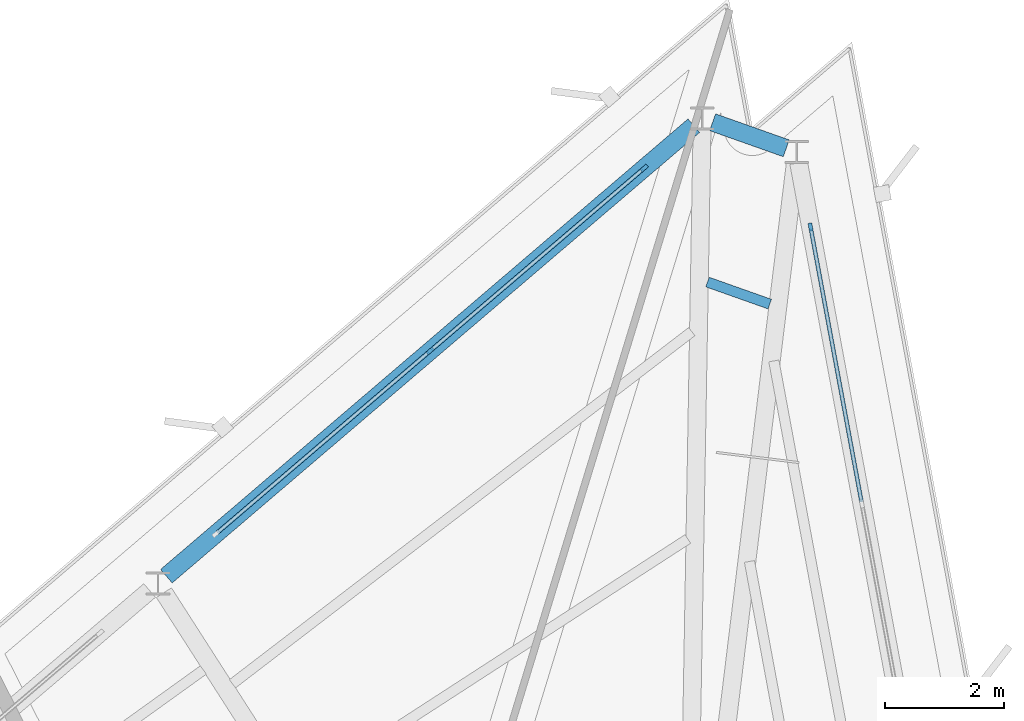
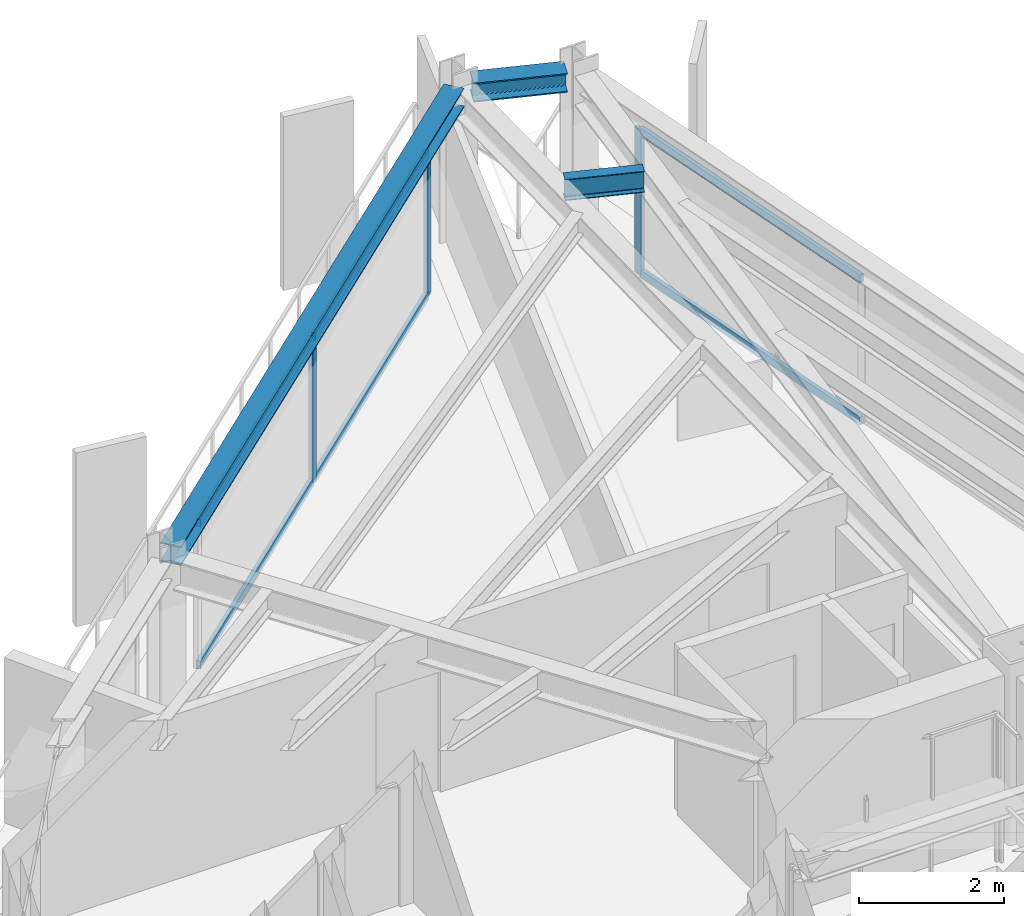
# One storey, part 7 of 14: 9 members, 3 beams, 2 elements without a shape of their own.
"""IFC4 building model written with IfcOpenShell, lengths in metres."""

from ifc_helpers import new_model, si_unit, direction, frame, origin, origin_2d, place, context, subcontext, project, spatial, rectangle, i_section, extrude, material, layer, layer_set, material_profile, profile_set, type_object, element, aggregate, save


model = new_model("IFC4")

# Units and contexts
model_context = context("Model", 3, precision=1e-05, world=origin(), true_north=direction((0.0, 1.0)))
body_context = subcontext(model_context, "Body", "Model", "MODEL_VIEW")
ifc_project = project(units=[si_unit("LENGTHUNIT", "METRE"), si_unit("AREAUNIT", "SQUARE_METRE"), si_unit("VOLUMEUNIT", "CUBIC_METRE"), si_unit("PLANEANGLEUNIT", "RADIAN"), si_unit("MASSUNIT", "GRAM", prefix="KILO")], contexts=[model_context])

# Site, building, storey
site_placement = place(None, origin())
site = spatial("IfcSite", under=ifc_project, at=site_placement, CompositionType="ELEMENT")
building_placement = place(site_placement, origin())
building = spatial("IfcBuilding", under=site, at=building_placement, Name="Rocaltana Carrier Exchange", CompositionType="ELEMENT")
storey_placement = place(building_placement, frame((0.0, 0.0, 181.43994140625)))
storey = spatial("IfcBuildingStorey", under=building, at=storey_placement, Name="L57", CompositionType="ELEMENT", Elevation=181.43994140625)

# Curtain wall, member
ifc_material_1 = material(Name="Aluminium 6063-T6", Category="aluminium")
ifc_layer = layer(ifc_material_1, 0.135009765625)
ifc_layer_set = layer_set([ifc_layer], Name="Aluminium 6063-T6")
curtain_wall_type = type_object("IfcCurtainWallType", Name="Upper-Mid Acoustic Curtain Wall CW-04", PredefinedType="NOTDEFINED", material=ifc_layer_set)
curtain_wall_1_placement = place(storey_placement, origin())
curtain_wall_1 = element("IfcCurtainWall", 1, at=curtain_wall_1_placement, inside=storey, type_object=curtain_wall_type, Name="L57 CW-04 Run CW-L57-F1S3", PredefinedType="NOTDEFINED")
ifc_material_2 = material(Name="Aluminium 6063-T6", Category="aluminium")
ifc_material_profile_1 = material_profile(ifc_material_2, rectangle(XDim=0.06494140625, YDim=0.135009765625, at=origin_2d()), Name="AL-65X135")
ifc_profile_set_1 = profile_set([ifc_material_profile_1], Name="Aluminium 6063-T6")
member_type_1 = type_object("IfcMemberType", Name="CW-04 Mullion AL-65X135", PredefinedType="MULLION", material=ifc_profile_set_1)
member_1_placement = place(storey_placement, frame((8.1474609375, 18.56298828125, 0.0), z_axis=(0.0, 0.0, 1.0), x_axis=(-0.983254796134, -0.182236126712, 0.0)))
member_1 = element("IfcMember", 2, at=member_1_placement, type_object=member_type_1, Name="CW-04 mullion 3", PredefinedType="MULLION", context=body_context, shape_type="SweptSolid", body=[
    extrude(rectangle(XDim=0.06494140625, YDim=0.135009765625, at=origin_2d()), origin(), (0.0, 0.0, 1.0), 2.447998046875),
])

# Curtain wall, members
curtain_wall_2_placement = place(storey_placement, origin())
curtain_wall_2 = element("IfcCurtainWall", 3, at=curtain_wall_2_placement, inside=storey, type_object=curtain_wall_type, Name="L57 CW-04 Run CW-L57-F2S1", PredefinedType="NOTDEFINED")
member_2_placement = place(storey_placement, frame((5.350341796875, 19.5537109375, 0.0), z_axis=(0.0, 0.0, 1.0), x_axis=(0.649447944918, -0.760406053922, 0.0)))
member_2 = element("IfcMember", 4, at=member_2_placement, type_object=member_type_1, Name="CW-04 mullion 1", PredefinedType="MULLION", context=body_context, shape_type="SweptSolid", body=[
    extrude(rectangle(XDim=0.06494140625, YDim=0.135009765625, at=origin_2d()), origin(), (0.0, 0.0, 1.0), 2.447998046875),
])
member_3_placement = place(storey_placement, frame((1.75048828125, 16.47900390625, 0.0), z_axis=(0.0, 0.0, 1.0), x_axis=(0.649447944918, -0.760406053922, 0.0)))
member_3 = element("IfcMember", 5, at=member_3_placement, type_object=member_type_1, Name="CW-04 mullion 2", PredefinedType="MULLION", context=body_context, shape_type="SweptSolid", body=[
    extrude(rectangle(XDim=0.06494140625, YDim=0.135009765625, at=origin_2d()), origin(), (0.0, 0.0, 1.0), 2.447998046875),
])

# Member
ifc_material_3 = material(Name="Aluminium 6063-T6", Category="aluminium")
ifc_material_profile_2 = material_profile(ifc_material_3, rectangle(XDim=0.06494140625, YDim=0.135009765625, at=origin_2d()), Name="AL-65X135")
ifc_profile_set_2 = profile_set([ifc_material_profile_2], Name="Aluminium 6063-T6")
member_type_2 = type_object("IfcMemberType", Name="CW-04 Transom AL-65X135", PredefinedType="USERDEFINED", material=ifc_profile_set_2)
member_4_placement = place(storey_placement, frame((9.00439453125, 13.940185546875, 0.032470703125), z_axis=(-0.182229691605, 0.983255988793, 0.0), x_axis=(-0.983255988793, -0.182229691605, 0.0)))
member_4 = element("IfcMember", 6, at=member_4_placement, type_object=member_type_2, Name="CW-04 transom 2.1", ObjectType="TRANSOM", PredefinedType="USERDEFINED", context=body_context, shape_type="SweptSolid", body=[
    extrude(rectangle(XDim=0.06494140625, YDim=0.135009765625, at=origin_2d()), origin(), (0.0, 0.0, 1.0), 4.6689453125),
])

member_5_placement = place(storey_placement, frame((9.00439453125, 13.940185546875, 2.41552734375), z_axis=(-0.182229691605, 0.983255988793, 0.0), x_axis=(-0.983255988793, -0.182229691605, 0.0)))
member_5 = element("IfcMember", 7, at=member_5_placement, type_object=member_type_2, Name="CW-04 transom 2.2", ObjectType="TRANSOM", PredefinedType="USERDEFINED", context=body_context, shape_type="SweptSolid", body=[
    extrude(rectangle(XDim=0.06494140625, YDim=0.135009765625, at=origin_2d()), origin(), (0.0, 0.0, 1.0), 4.6689453125),
])

aggregate(curtain_wall_1, [member_1, member_4, member_5])

member_6_placement = place(storey_placement, frame((5.32568359375, 19.532470703125, 0.032470703125), z_axis=(-0.760429086615, -0.649420976123, 0.0), x_axis=(0.649420976123, -0.760429086615, 0.0)))
member_6 = element("IfcMember", 8, at=member_6_placement, type_object=member_type_2, Name="CW-04 transom 1.1", ObjectType="TRANSOM", PredefinedType="USERDEFINED", context=body_context, shape_type="SweptSolid", body=[
    extrude(rectangle(XDim=0.06494140625, YDim=0.135009765625, at=origin_2d()), origin(), (0.0, 0.0, 1.0), 4.669189453125),
])

member_7_placement = place(storey_placement, frame((5.32568359375, 19.532470703125, 2.41552734375), z_axis=(-0.760429086615, -0.649420976123, 0.0), x_axis=(0.649420976123, -0.760429086615, 0.0)))
member_7 = element("IfcMember", 9, at=member_7_placement, type_object=member_type_2, Name="CW-04 transom 1.2", ObjectType="TRANSOM", PredefinedType="USERDEFINED", context=body_context, shape_type="SweptSolid", body=[
    extrude(rectangle(XDim=0.06494140625, YDim=0.135009765625, at=origin_2d()), origin(), (0.0, 0.0, 1.0), 4.669189453125),
])

member_8_placement = place(storey_placement, frame((1.7255859375, 16.4580078125, 0.032470703125), z_axis=(-0.760381209804, -0.649477032525, 0.0), x_axis=(0.649477032525, -0.760381209804, 0.0)))
member_8 = element("IfcMember", 10, at=member_8_placement, type_object=member_type_2, Name="CW-04 transom 2.1", ObjectType="TRANSOM", PredefinedType="USERDEFINED", context=body_context, shape_type="SweptSolid", body=[
    extrude(rectangle(XDim=0.06494140625, YDim=0.135009765625, at=origin_2d()), origin(), (0.0, 0.0, 1.0), 4.669189453125),
])

member_9_placement = place(storey_placement, frame((1.7255859375, 16.4580078125, 2.41552734375), z_axis=(-0.760381209804, -0.649477032525, 0.0), x_axis=(0.649477032525, -0.760381209804, 0.0)))
member_9 = element("IfcMember", 11, at=member_9_placement, type_object=member_type_2, Name="CW-04 transom 2.2", ObjectType="TRANSOM", PredefinedType="USERDEFINED", context=body_context, shape_type="SweptSolid", body=[
    extrude(rectangle(XDim=0.06494140625, YDim=0.135009765625, at=origin_2d()), origin(), (0.0, 0.0, 1.0), 4.669189453125),
])

aggregate(curtain_wall_2, [member_2, member_3, member_6, member_7, member_8, member_9])

# Beams
ifc_material_4 = material(Name="Steel S355", Category="steel")
ifc_material_profile_3 = material_profile(ifc_material_4, i_section(OverallWidth=0.172119140625, OverallDepth=0.35791015625, WebThickness=0.0078125, FlangeThickness=0.01318359375, FilletRadius=0.011962890625, at=origin_2d()), Name="W14X38")
ifc_profile_set_3 = profile_set([ifc_material_profile_3], Name="Steel S355")
beam_type_1 = type_object("IfcBeamType", Name="Floor Joist W14X38", PredefinedType="JOIST", material=ifc_profile_set_3)
beam_1_placement = place(storey_placement, frame((7.461181640625, 17.26708984375, 2.619140625), z_axis=(-0.942673337603, 0.333716913825, 0.0), x_axis=(-0.333716913825, -0.942673337603, 0.0)))
element("IfcBeam", 12, at=beam_1_placement, inside=storey, type_object=beam_type_1, Name="FJ-L57-04-3", PredefinedType="JOIST", context=body_context, shape_type="SweptSolid", body=[
    extrude(i_section(OverallWidth=0.172119140625, OverallDepth=0.35791015625, WebThickness=0.0078125, FlangeThickness=0.01318359375, FilletRadius=0.011962890625, at=origin_2d()), origin(), (0.0, 0.0, 1.0), 1.110595703125),
])
ifc_material_5 = material(Name="Steel S355", Category="steel")
ifc_material_profile_4 = material_profile(ifc_material_5, i_section(OverallWidth=0.300048828125, OverallDepth=0.320068359375, WebThickness=0.011474609375, FlangeThickness=0.0205078125, FilletRadius=0.027099609375, at=origin_2d()), Name="HEB320")
ifc_profile_set_4 = profile_set([ifc_material_profile_4], Name="Steel S355")
beam_type_2 = type_object("IfcBeamType", Name="Spandrel Edge Beam HEB320", PredefinedType="SPANDREL", material=ifc_profile_set_4)
beam_2_placement = place(storey_placement, frame((7.739013671875, 19.885986328125, 2.637939453125), z_axis=(-0.94260895098, 0.333898735445, 0.0), x_axis=(-0.333898735445, -0.94260895098, 0.0)))
element("IfcBeam", 13, at=beam_2_placement, inside=storey, type_object=beam_type_2, Name="SP-L57-04", PredefinedType="SPANDREL", context=body_context, shape_type="SweptSolid", body=[
    extrude(i_section(OverallWidth=0.300048828125, OverallDepth=0.320068359375, WebThickness=0.011474609375, FlangeThickness=0.0205078125, FilletRadius=0.027099609375, at=origin_2d()), origin(), (0.0, 0.0, 1.0), 1.31396484375),
])
beam_3_placement = place(storey_placement, frame((6.184326171875, 20.26611328125, 2.637939453125), z_axis=(-0.760403616076, -0.64945079926, 0.0), x_axis=(0.64945079926, -0.760403616076, 0.0)))
element("IfcBeam", 14, at=beam_3_placement, inside=storey, type_object=beam_type_2, Name="SP-L57-05", PredefinedType="SPANDREL", context=body_context, shape_type="SweptSolid", body=[
    extrude(i_section(OverallWidth=0.300048828125, OverallDepth=0.320068359375, WebThickness=0.011474609375, FlangeThickness=0.0205078125, FilletRadius=0.027099609375, at=origin_2d()), origin(), (0.0, 0.0, 1.0), 11.662109375),
])

save(model, "model.ifc")
